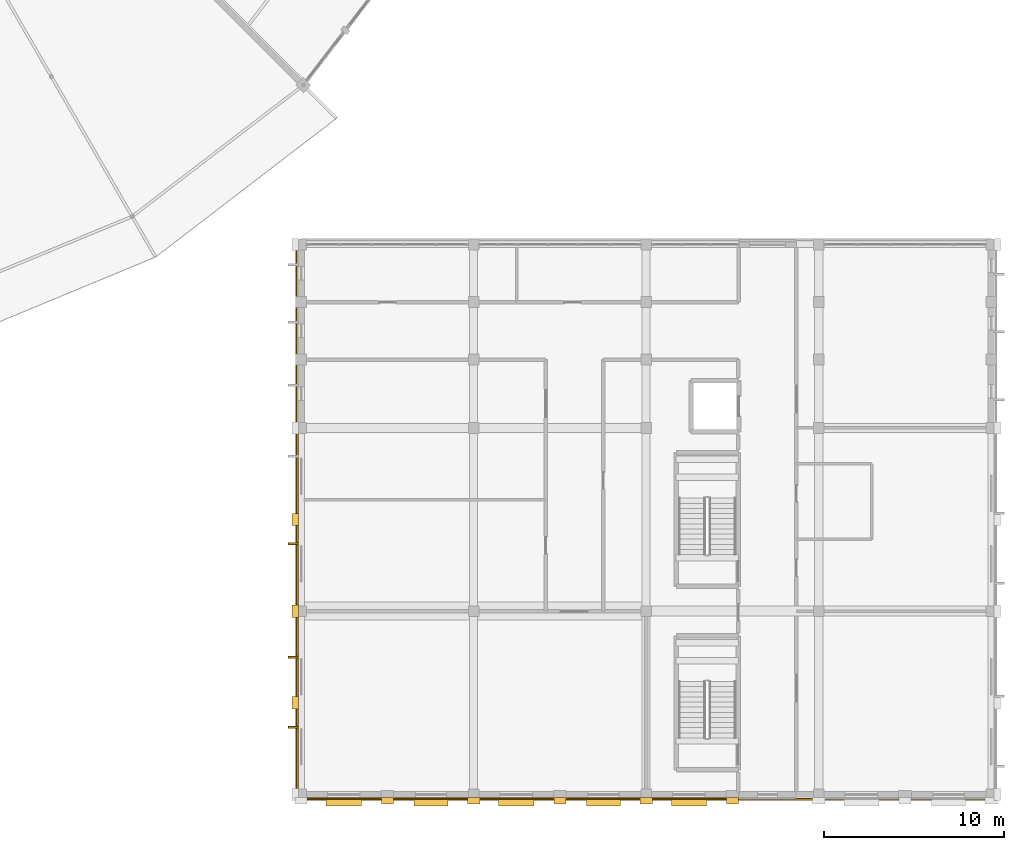
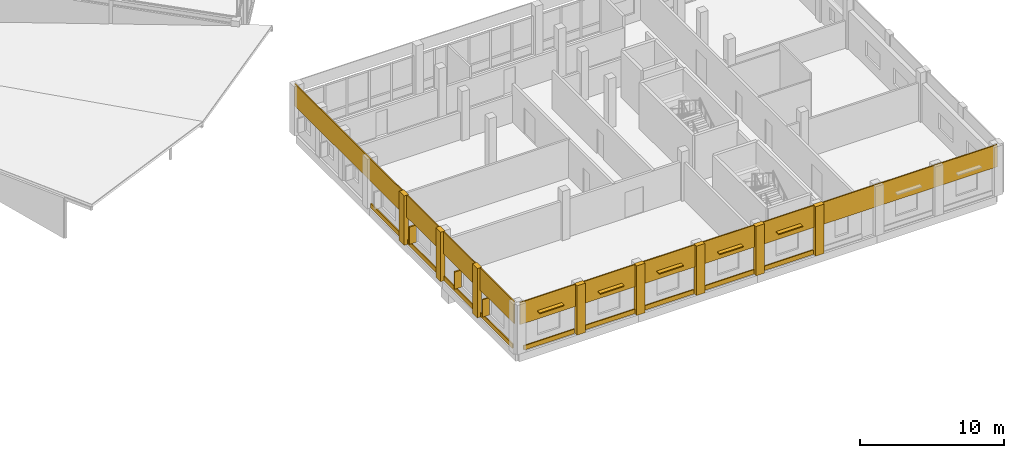
# One storey, part 182 of 185: 17 coverings, 8 shading devices.
"""IFC4 building model written with IfcOpenShell, lengths in metres."""

from ifc_helpers import new_model, si_unit, direction, frame, origin, origin_2d, place, context, subcontext, project, spatial, rectangle, extrude, material, layer, layer_set, type_object, element, save


model = new_model("IFC4")

# Units and contexts
model_context = context("Model", 3, precision=1e-05, world=origin(), true_north=direction((0.0, 1.0)))
body_context = subcontext(model_context, "Body", "Model", "MODEL_VIEW")
ifc_project = project(units=[si_unit("LENGTHUNIT", "METRE"), si_unit("AREAUNIT", "SQUARE_METRE"), si_unit("VOLUMEUNIT", "CUBIC_METRE"), si_unit("PLANEANGLEUNIT", "RADIAN"), si_unit("MASSUNIT", "GRAM", prefix="KILO")], contexts=[model_context])

# Site, building, storey
site_placement = place(None, origin())
site = spatial("IfcSite", under=ifc_project, at=site_placement, CompositionType="ELEMENT")
building_placement = place(site_placement, origin())
building = spatial("IfcBuilding", under=site, at=building_placement, Name="Vondelvale Polytechnic", CompositionType="ELEMENT")
storey_placement = place(building_placement, frame((0.0, 0.0, 9.60009765625)))
storey = spatial("IfcBuildingStorey", under=building, at=storey_placement, Name="L02", CompositionType="ELEMENT", Elevation=9.60009765625)

# Coverings
ifc_material_1 = material(Name="Amsterdam School iron-spot clinker clay brickwork", Category="masonry")
ifc_layer = layer(ifc_material_1, 0.090087890625)
ifc_layer_set = layer_set([ifc_layer], Name="COV-BRICK-RELIEF")
covering_type = type_object("IfcCoveringType", Name="COV-BRICK-RELIEF", PredefinedType="CLADDING", material=ifc_layer_set)
covering_1_placement = place(storey_placement, frame((153.60009765625, -0.264892578125, 2.320068359375), z_axis=(0.0, 0.0, 1.0), x_axis=(1.0, 0.0, 0.0)))
element("IfcCovering", 1, at=covering_1_placement, inside=storey, type_object=covering_type, Name="L02 exterior masonry spandrel band", PredefinedType="CLADDING", context=body_context, shape_type="SweptSolid", body=[
    extrude(rectangle(XDim=38.39990234375, YDim=0.090087890625, at=origin_2d()), origin(), (0.0, 0.0, 1.0), 1.8798828125),
])
covering_2_placement = place(storey_placement, frame((134.135009765625, 15.300048828125, 2.320068359375), z_axis=(0.0, 0.0, 1.0), x_axis=(0.0, 1.0, 0.0)))
element("IfcCovering", 2, at=covering_2_placement, inside=storey, type_object=covering_type, Name="L02 exterior masonry spandrel band", PredefinedType="CLADDING", context=body_context, shape_type="SweptSolid", body=[
    extrude(rectangle(XDim=30.60009765625, YDim=0.090087890625, at=origin_2d()), origin(), (0.0, 0.0, 1.0), 1.8798828125),
])
for number, where, z_axis, x_axis, name in (
    (3, (136.77490234375, -0.216064453125, 0.0), (0.0, 0.0, 1.0), (-1.0, 0.0, 0.0), "L02 exterior corbelled masonry relief band"),
    (4, (141.625, -0.216064453125, 0.0), (0.0, 0.0, 1.0), (-1.0, 0.0, 0.0), "L02 exterior corbelled masonry relief band"),
    (5, (146.375, -0.216064453125, 0.0), (0.0, 0.0, 1.0), (-1.0, 0.0, 0.0), "L02 exterior corbelled masonry relief band"),
    (6, (151.22509765625, -0.216064453125, 0.0), (0.0, 0.0, 1.0), (-1.0, 0.0, 0.0), "L02 exterior corbelled masonry relief band"),
    (7, (155.97509765625, -0.216064453125, 0.0), (0.0, 0.0, 1.0), (-1.0, 0.0, 0.0), "L02 exterior corbelled masonry relief band"),
):
    element("IfcCovering", number, at=place(storey_placement, frame(where, z_axis=z_axis, x_axis=x_axis)), inside=storey, type_object=covering_type, Name=name, PredefinedType="CLADDING", context=body_context, shape_type="SweptSolid", body=[
        extrude(rectangle(XDim=4.087890625, YDim=0.090087890625, at=origin_2d()), origin(), (0.0, 0.0, 1.0), 0.3798828125),
    ])
for number, where, z_axis, x_axis, name in (
    (8, (134.18408203125, 5.10009765625, 0.0), (0.0, 0.0, 1.0), (0.0, 1.0, 0.0), "L02 exterior corbelled masonry relief band"),
    (9, (134.18408203125, 15.300048828125, 0.0), (0.0, 0.0, 1.0), (0.0, 1.0, 0.0), "L02 exterior corbelled masonry relief band"),
):
    element("IfcCovering", number, at=place(storey_placement, frame(where, z_axis=z_axis, x_axis=x_axis)), inside=storey, type_object=covering_type, Name=name, PredefinedType="CLADDING", context=body_context, shape_type="SweptSolid", body=[
        extrude(rectangle(XDim=9.5380859375, YDim=0.090087890625, at=origin_2d()), origin(), (0.0, 0.0, 1.0), 0.3798828125),
    ])
for number, where, z_axis, x_axis, name in (
    (10, (139.199951171875, -0.340087890625, 0.0), (0.0, 0.0, 1.0), (1.0, 0.0, 0.0), "L02 Lecture wing giant-order pilaster S"),
    (11, (144.0, -0.340087890625, 0.0), (0.0, 0.0, 1.0), (1.0, 0.0, 0.0), "L02 Lecture wing giant-order pilaster S"),
    (12, (148.800048828125, -0.340087890625, 0.0), (0.0, 0.0, 1.0), (1.0, 0.0, 0.0), "L02 Lecture wing giant-order pilaster S"),
    (13, (153.60009765625, -0.340087890625, 0.0), (0.0, 0.0, 1.0), (1.0, 0.0, 0.0), "L02 Lecture wing giant-order pilaster S"),
    (14, (158.39990234375, -0.340087890625, 0.0), (0.0, 0.0, 1.0), (1.0, 0.0, 0.0), "L02 Lecture wing giant-order pilaster S"),
):
    element("IfcCovering", number, at=place(storey_placement, frame(where, z_axis=z_axis, x_axis=x_axis)), inside=storey, type_object=covering_type, Name=name, PredefinedType="CLADDING", context=body_context, shape_type="SweptSolid", body=[
        extrude(rectangle(XDim=0.679931640625, YDim=0.360107421875, at=origin_2d()), origin(), (0.0, 0.0, 1.0), 4.199951171875),
    ])
for number, where, z_axis, x_axis, name in (
    (15, (134.06005859375, 5.10009765625, 0.0), (0.0, 0.0, 1.0), (1.0, 0.0, 0.0), "L02 Lecture wing giant-order pilaster W"),
    (16, (134.06005859375, 10.199951171875, 0.0), (0.0, 0.0, 1.0), (1.0, 0.0, 0.0), "L02 Lecture wing giant-order pilaster W"),
    (17, (134.06005859375, 15.300048828125, 0.0), (0.0, 0.0, 1.0), (1.0, 0.0, 0.0), "L02 Lecture wing giant-order pilaster W"),
):
    element("IfcCovering", number, at=place(storey_placement, frame(where, z_axis=z_axis, x_axis=x_axis)), inside=storey, type_object=covering_type, Name=name, PredefinedType="CLADDING", context=body_context, shape_type="SweptSolid", body=[
        extrude(rectangle(XDim=0.360107421875, YDim=0.679931640625, at=origin_2d()), origin(), (0.0, 0.0, 1.0), 4.199951171875),
    ])

# Shading devices
ifc_material_2 = material(Name="Anodised extruded aluminium 6063-T6", Category="aluminium")
shading_device_type_1 = type_object("IfcShadingDeviceType", Name="SHD-BRONZE-LOUVRE", PredefinedType="SHUTTER", material=ifc_material_2)
shading_device_1_placement = place(storey_placement, frame((136.77490234375, -0.39990234375, 2.95751953125), z_axis=(0.0, 0.0, 1.0), x_axis=(-1.0, 0.0, 0.0)))
element("IfcShadingDevice", 18, at=shading_device_1_placement, inside=storey, type_object=shading_device_type_1, Name="L02 horizontal bronze sun-louvre overhang", PredefinedType="SHUTTER", context=body_context, shape_type="SweptSolid", body=[
    extrude(rectangle(XDim=1.9599609375, YDim=0.47998046875, at=origin_2d()), origin(), (0.0, 0.0, 1.0), 0.0849609375),
])
shading_device_2_placement = place(storey_placement, frame((141.625, -0.39990234375, 2.907470703125), z_axis=(0.0, 0.0, 1.0), x_axis=(-1.0, 0.0, 0.0)))
element("IfcShadingDevice", 19, at=shading_device_2_placement, inside=storey, type_object=shading_device_type_1, Name="L02 horizontal bronze sun-louvre overhang", PredefinedType="SHUTTER", context=body_context, shape_type="SweptSolid", body=[
    extrude(rectangle(XDim=1.909912109375, YDim=0.47998046875, at=origin_2d()), origin(), (0.0, 0.0, 1.0), 0.0849609375),
])
shading_device_3_placement = place(storey_placement, frame((146.375, -0.39990234375, 2.95751953125), z_axis=(0.0, 0.0, 1.0), x_axis=(-1.0, 0.0, 0.0)))
element("IfcShadingDevice", 20, at=shading_device_3_placement, inside=storey, type_object=shading_device_type_1, Name="L02 horizontal bronze sun-louvre overhang", PredefinedType="SHUTTER", context=body_context, shape_type="SweptSolid", body=[
    extrude(rectangle(XDim=1.9599609375, YDim=0.47998046875, at=origin_2d()), origin(), (0.0, 0.0, 1.0), 0.0849609375),
])
shading_device_4_placement = place(storey_placement, frame((151.22509765625, -0.39990234375, 2.907470703125), z_axis=(0.0, 0.0, 1.0), x_axis=(-1.0, 0.0, 0.0)))
element("IfcShadingDevice", 21, at=shading_device_4_placement, inside=storey, type_object=shading_device_type_1, Name="L02 horizontal bronze sun-louvre overhang", PredefinedType="SHUTTER", context=body_context, shape_type="SweptSolid", body=[
    extrude(rectangle(XDim=1.909912109375, YDim=0.47998046875, at=origin_2d()), origin(), (0.0, 0.0, 1.0), 0.0849609375),
])
shading_device_5_placement = place(storey_placement, frame((155.97509765625, -0.39990234375, 2.95751953125), z_axis=(0.0, 0.0, 1.0), x_axis=(-1.0, 0.0, 0.0)))
element("IfcShadingDevice", 22, at=shading_device_5_placement, inside=storey, type_object=shading_device_type_1, Name="L02 horizontal bronze sun-louvre overhang", PredefinedType="SHUTTER", context=body_context, shape_type="SweptSolid", body=[
    extrude(rectangle(XDim=1.9599609375, YDim=0.47998046875, at=origin_2d()), origin(), (0.0, 0.0, 1.0), 0.0849609375),
])
ifc_material_3 = material(Name="Kiln-fired architectural terracotta", Category="masonry")
shading_device_type_2 = type_object("IfcShadingDeviceType", Name="SHD-TERRA-FIN-550", PredefinedType="JALOUSIE", material=ifc_material_3)
for number, where, z_axis, x_axis, name in (
    (23, (133.965087890625, 3.740966796875, 0.7900390625), (0.0, 0.0, 1.0), (0.0, 1.0, 0.0), "L02 vertical terracotta solar fin"),
    (24, (133.965087890625, 7.64111328125, 0.7900390625), (0.0, 0.0, 1.0), (0.0, 1.0, 0.0), "L02 vertical terracotta solar fin"),
    (25, (133.965087890625, 13.94091796875, 0.7900390625), (0.0, 0.0, 1.0), (0.0, 1.0, 0.0), "L02 vertical terracotta solar fin"),
):
    element("IfcShadingDevice", number, at=place(storey_placement, frame(where, z_axis=z_axis, x_axis=x_axis)), inside=storey, type_object=shading_device_type_2, Name=name, PredefinedType="JALOUSIE", context=body_context, shape_type="SweptSolid", body=[
        extrude(rectangle(XDim=0.110107421875, YDim=0.550048828125, at=origin_2d()), origin(), (0.0, 0.0, 1.0), 1.469970703125),
    ])

save(model, "model.ifc")
